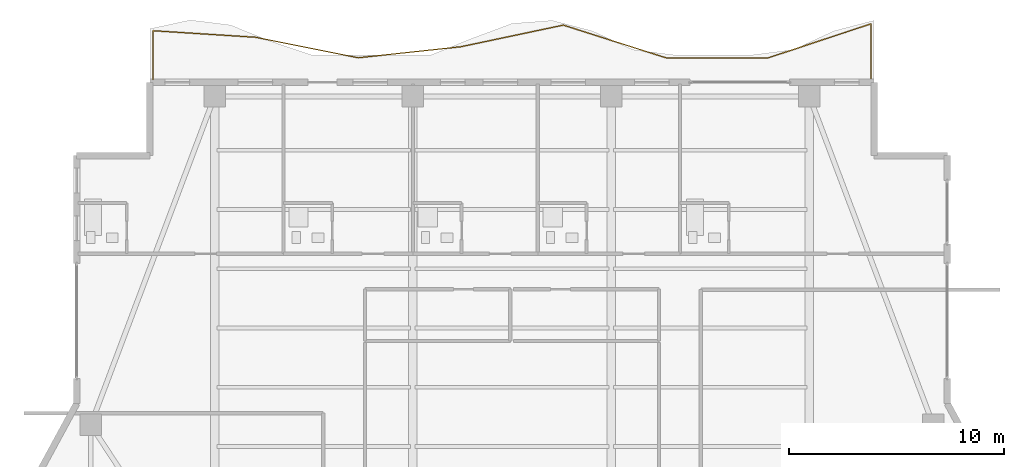
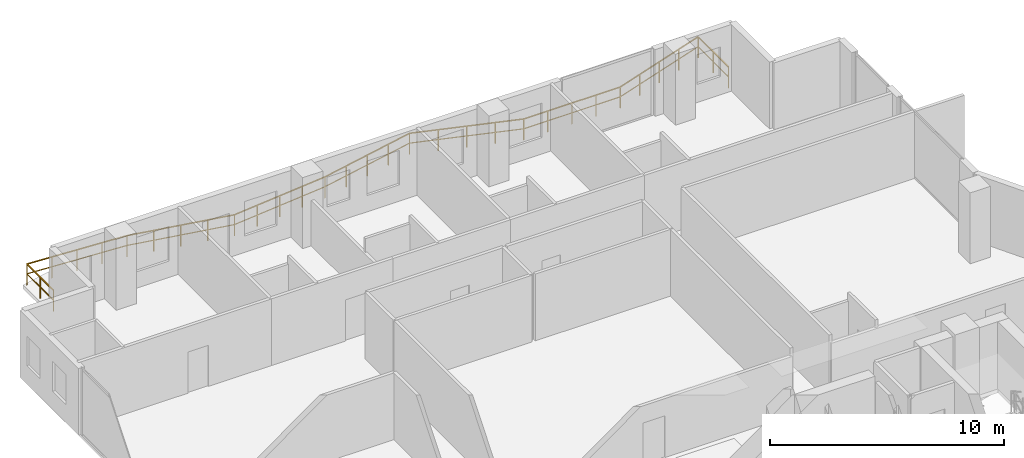
# One storey, part 24 of 25: 1 railing.
"""IFC4 building model written with IfcOpenShell, lengths in metres."""

from ifc_helpers import new_model, si_unit, direction, frame, origin, origin_2d, place, context, subcontext, project, spatial, rectangle, extrude, material, type_object, element, save


model = new_model("IFC4")

# Units and contexts
model_context = context("Model", 3, precision=1e-05, world=origin(), true_north=direction((0.0, 1.0)))
body_context = subcontext(model_context, "Body", "Model", "MODEL_VIEW")
ifc_project = project(units=[si_unit("LENGTHUNIT", "METRE"), si_unit("AREAUNIT", "SQUARE_METRE"), si_unit("VOLUMEUNIT", "CUBIC_METRE"), si_unit("PLANEANGLEUNIT", "RADIAN"), si_unit("MASSUNIT", "GRAM", prefix="KILO")], contexts=[model_context])

# Site, building, storey
site_placement = place(None, origin())
site = spatial("IfcSite", under=ifc_project, at=site_placement, CompositionType="ELEMENT")
building_placement = place(site_placement, origin())
building = spatial("IfcBuilding", under=site, at=building_placement, Name="Zuhayl Quay Hotel", CompositionType="ELEMENT")
storey_placement = place(building_placement, frame((0.0, 0.0, 243.35009765625)))
storey = spatial("IfcBuildingStorey", under=building, at=storey_placement, Name="L61", CompositionType="ELEMENT", Elevation=243.35009765625)

# Railing
ifc_material = material(Name="Anodised Aluminium and Laminated Glass", Category="aluminium")
railing_type = type_object("IfcRailingType", Name="RL_EXT_BAL_1100", PredefinedType="BALUSTRADE", material=ifc_material)
railing_placement = place(storey_placement, frame((-16.659912109375, 39.1201171875, 0.0)))
element("IfcRailing", 1, at=railing_placement, inside=storey, type_object=railing_type, Name="L61 Balcony and Terrace Guard GR_L61_BAL_N", PredefinedType="BALUSTRADE", context=body_context, shape_type="SweptSolid", body=[
    extrude(rectangle(XDim=0.048095703125, YDim=0.048095703125, at=origin_2d()), frame((0.0, 0.0, 1.09619140625), z_axis=(0.0, 1.0, 0.0), x_axis=(-1.0, 0.0, 0.0)), (0.0, 0.0, 1.0), 2.276123046875),
    extrude(rectangle(XDim=0.0361328125, YDim=0.0361328125, at=origin_2d()), frame((0.0, 0.0, 0.58251953125), z_axis=(0.0, 1.0, 0.0), x_axis=(-1.0, 0.0, 0.0)), (0.0, 0.0, 1.0), 2.276123046875),
    extrude(rectangle(XDim=0.048095703125, YDim=0.048095703125, at=origin_2d()), frame((0.0, 2.276123046875, 1.09619140625), z_axis=(0.997964164421, -0.063777163095, 0.0), x_axis=(0.063777163095, 0.997964164421, 0.0)), (0.0, 0.0, 1.0), 4.769775390625),
    extrude(rectangle(XDim=0.0361328125, YDim=0.0361328125, at=origin_2d()), frame((0.0, 2.276123046875, 0.58251953125), z_axis=(0.997964164421, -0.063777163095, 0.0), x_axis=(0.063777163095, 0.997964164421, 0.0)), (0.0, 0.0, 1.0), 4.769775390625),
    extrude(rectangle(XDim=0.048095703125, YDim=0.048095703125, at=origin_2d()), frame((4.760009765625, 1.971923828125, 1.09619140625), z_axis=(0.980574872151, -0.196145150607, 0.0), x_axis=(0.196145150607, 0.980574872151, 0.0)), (0.0, 0.0, 1.0), 4.854248046875),
    extrude(rectangle(XDim=0.0361328125, YDim=0.0361328125, at=origin_2d()), frame((4.760009765625, 1.971923828125, 0.58251953125), z_axis=(0.980574872151, -0.196145150607, 0.0), x_axis=(0.196145150607, 0.980574872151, 0.0)), (0.0, 0.0, 1.0), 4.854248046875),
    extrude(rectangle(XDim=0.048095703125, YDim=0.048095703125, at=origin_2d()), frame((9.52001953125, 1.019775390625, 1.09619140625), z_axis=(0.994298151685, 0.106635761152, 0.0), x_axis=(-0.106635761152, 0.994298151685, 0.0)), (0.0, 0.0, 1.0), 4.787353515625),
    extrude(rectangle(XDim=0.0361328125, YDim=0.0361328125, at=origin_2d()), frame((9.52001953125, 1.019775390625, 0.58251953125), z_axis=(0.994298151685, 0.106635761152, 0.0), x_axis=(-0.106635761152, 0.994298151685, 0.0)), (0.0, 0.0, 1.0), 4.787353515625),
    extrude(rectangle(XDim=0.048095703125, YDim=0.048095703125, at=origin_2d()), frame((14.280029296875, 1.5302734375, 1.09619140625), z_axis=(0.97840204159, 0.206711018122, 0.0), x_axis=(-0.206711018122, 0.97840204159, 0.0)), (0.0, 0.0, 1.0), 4.86474609375),
    extrude(rectangle(XDim=0.0361328125, YDim=0.0361328125, at=origin_2d()), frame((14.280029296875, 1.5302734375, 0.58251953125), z_axis=(0.97840204159, 0.206711018122, 0.0), x_axis=(-0.206711018122, 0.97840204159, 0.0)), (0.0, 0.0, 1.0), 4.86474609375),
    extrude(rectangle(XDim=0.048095703125, YDim=0.048095703125, at=origin_2d()), frame((19.039794921875, 2.535888671875, 1.09619140625), z_axis=(0.952835239362, -0.3034880667, 0.0), x_axis=(0.3034880667, 0.952835239362, 0.0)), (0.0, 0.0, 1.0), 4.99560546875),
    extrude(rectangle(XDim=0.0361328125, YDim=0.0361328125, at=origin_2d()), frame((19.039794921875, 2.535888671875, 0.58251953125), z_axis=(0.952835239362, -0.3034880667, 0.0), x_axis=(0.3034880667, 0.952835239362, 0.0)), (0.0, 0.0, 1.0), 4.99560546875),
    extrude(rectangle(XDim=0.048095703125, YDim=0.048095703125, at=origin_2d()), frame((23.7998046875, 1.019775390625, 1.09619140625), z_axis=(1.0, 0.0, 0.0), x_axis=(0.0, 1.0, 0.0)), (0.0, 0.0, 1.0), 4.760009765625),
    extrude(rectangle(XDim=0.0361328125, YDim=0.0361328125, at=origin_2d()), frame((23.7998046875, 1.019775390625, 0.58251953125), z_axis=(1.0, 0.0, 0.0), x_axis=(0.0, 1.0, 0.0)), (0.0, 0.0, 1.0), 4.760009765625),
    extrude(rectangle(XDim=0.048095703125, YDim=0.048095703125, at=origin_2d()), frame((28.559814453125, 1.019775390625, 1.09619140625), z_axis=(0.949280465893, 0.314430591821, 0.0), x_axis=(-0.314430591821, 0.949280465893, 0.0)), (0.0, 0.0, 1.0), 5.014404296875),
    extrude(rectangle(XDim=0.0361328125, YDim=0.0361328125, at=origin_2d()), frame((28.559814453125, 1.019775390625, 0.58251953125), z_axis=(0.949280465893, 0.314430591821, 0.0), x_axis=(-0.314430591821, 0.949280465893, 0.0)), (0.0, 0.0, 1.0), 5.014404296875),
    extrude(rectangle(XDim=0.048095703125, YDim=0.048095703125, at=origin_2d()), frame((33.31982421875, 2.596435546875, 1.09619140625), z_axis=(0.0, -1.0, 0.0), x_axis=(1.0, 0.0, 0.0)), (0.0, 0.0, 1.0), 2.596435546875),
    extrude(rectangle(XDim=0.0361328125, YDim=0.0361328125, at=origin_2d()), frame((33.31982421875, 2.596435546875, 0.58251953125), z_axis=(0.0, -1.0, 0.0), x_axis=(1.0, 0.0, 0.0)), (0.0, 0.0, 1.0), 2.596435546875),
    extrude(rectangle(XDim=0.0419921875, YDim=0.0419921875, at=origin_2d()), origin(), (0.0, 0.0, 1.0), 1.072021484375),
    extrude(rectangle(XDim=0.0419921875, YDim=0.0419921875, at=origin_2d()), frame((0.0, 1.13818359375, 0.0)), (0.0, 0.0, 1.0), 1.072021484375),
    extrude(rectangle(XDim=0.0419921875, YDim=0.0419921875, at=origin_2d()), frame((0.0, 2.276123046875, 0.0)), (0.0, 0.0, 1.0), 1.072021484375),
    extrude(rectangle(XDim=0.0419921875, YDim=0.0419921875, at=origin_2d()), frame((1.18994140625, 2.2001953125, 0.0)), (0.0, 0.0, 1.0), 1.072021484375),
    extrude(rectangle(XDim=0.0419921875, YDim=0.0419921875, at=origin_2d()), frame((2.3798828125, 2.1240234375, 0.0)), (0.0, 0.0, 1.0), 1.072021484375),
    extrude(rectangle(XDim=0.0419921875, YDim=0.0419921875, at=origin_2d()), frame((3.570068359375, 2.0478515625, 0.0)), (0.0, 0.0, 1.0), 1.072021484375),
    extrude(rectangle(XDim=0.0419921875, YDim=0.0419921875, at=origin_2d()), frame((4.760009765625, 1.971923828125, 0.0)), (0.0, 0.0, 1.0), 1.072021484375),
    extrude(rectangle(XDim=0.0419921875, YDim=0.0419921875, at=origin_2d()), frame((5.949951171875, 1.73388671875, 0.0)), (0.0, 0.0, 1.0), 1.072021484375),
    extrude(rectangle(XDim=0.0419921875, YDim=0.0419921875, at=origin_2d()), frame((7.14013671875, 1.495849609375, 0.0)), (0.0, 0.0, 1.0), 1.072021484375),
    extrude(rectangle(XDim=0.0419921875, YDim=0.0419921875, at=origin_2d()), frame((8.330078125, 1.2578125, 0.0)), (0.0, 0.0, 1.0), 1.072021484375),
    extrude(rectangle(XDim=0.0419921875, YDim=0.0419921875, at=origin_2d()), frame((9.52001953125, 1.019775390625, 0.0)), (0.0, 0.0, 1.0), 1.072021484375),
    extrude(rectangle(XDim=0.0419921875, YDim=0.0419921875, at=origin_2d()), frame((10.7099609375, 1.1474609375, 0.0)), (0.0, 0.0, 1.0), 1.072021484375),
    extrude(rectangle(XDim=0.0419921875, YDim=0.0419921875, at=origin_2d()), frame((11.89990234375, 1.27490234375, 0.0)), (0.0, 0.0, 1.0), 1.072021484375),
    extrude(rectangle(XDim=0.0419921875, YDim=0.0419921875, at=origin_2d()), frame((13.090087890625, 1.402587890625, 0.0)), (0.0, 0.0, 1.0), 1.072021484375),
    extrude(rectangle(XDim=0.0419921875, YDim=0.0419921875, at=origin_2d()), frame((14.280029296875, 1.5302734375, 0.0)), (0.0, 0.0, 1.0), 1.072021484375),
    extrude(rectangle(XDim=0.0419921875, YDim=0.0419921875, at=origin_2d()), frame((15.469970703125, 1.78173828125, 0.0)), (0.0, 0.0, 1.0), 1.072021484375),
    extrude(rectangle(XDim=0.0419921875, YDim=0.0419921875, at=origin_2d()), frame((16.659912109375, 2.033203125, 0.0)), (0.0, 0.0, 1.0), 1.072021484375),
    extrude(rectangle(XDim=0.0419921875, YDim=0.0419921875, at=origin_2d()), frame((17.849853515625, 2.284423828125, 0.0)), (0.0, 0.0, 1.0), 1.072021484375),
    extrude(rectangle(XDim=0.0419921875, YDim=0.0419921875, at=origin_2d()), frame((19.039794921875, 2.535888671875, 0.0)), (0.0, 0.0, 1.0), 1.072021484375),
    extrude(rectangle(XDim=0.0419921875, YDim=0.0419921875, at=origin_2d()), frame((20.229736328125, 2.15673828125, 0.0)), (0.0, 0.0, 1.0), 1.072021484375),
    extrude(rectangle(XDim=0.0419921875, YDim=0.0419921875, at=origin_2d()), frame((21.419921875, 1.77783203125, 0.0)), (0.0, 0.0, 1.0), 1.072021484375),
    extrude(rectangle(XDim=0.0419921875, YDim=0.0419921875, at=origin_2d()), frame((22.60986328125, 1.39892578125, 0.0)), (0.0, 0.0, 1.0), 1.072021484375),
    extrude(rectangle(XDim=0.0419921875, YDim=0.0419921875, at=origin_2d()), frame((23.7998046875, 1.019775390625, 0.0)), (0.0, 0.0, 1.0), 1.072021484375),
    extrude(rectangle(XDim=0.0419921875, YDim=0.0419921875, at=origin_2d()), frame((24.98974609375, 1.019775390625, 0.0)), (0.0, 0.0, 1.0), 1.072021484375),
    extrude(rectangle(XDim=0.0419921875, YDim=0.0419921875, at=origin_2d()), frame((26.1796875, 1.019775390625, 0.0)), (0.0, 0.0, 1.0), 1.072021484375),
    extrude(rectangle(XDim=0.0419921875, YDim=0.0419921875, at=origin_2d()), frame((27.369873046875, 1.019775390625, 0.0)), (0.0, 0.0, 1.0), 1.072021484375),
    extrude(rectangle(XDim=0.0419921875, YDim=0.0419921875, at=origin_2d()), frame((28.559814453125, 1.019775390625, 0.0)), (0.0, 0.0, 1.0), 1.072021484375),
    extrude(rectangle(XDim=0.0419921875, YDim=0.0419921875, at=origin_2d()), frame((29.749755859375, 1.4140625, 0.0)), (0.0, 0.0, 1.0), 1.072021484375),
    extrude(rectangle(XDim=0.0419921875, YDim=0.0419921875, at=origin_2d()), frame((30.93994140625, 1.80810546875, 0.0)), (0.0, 0.0, 1.0), 1.072021484375),
    extrude(rectangle(XDim=0.0419921875, YDim=0.0419921875, at=origin_2d()), frame((32.1298828125, 2.2021484375, 0.0)), (0.0, 0.0, 1.0), 1.072021484375),
    extrude(rectangle(XDim=0.0419921875, YDim=0.0419921875, at=origin_2d()), frame((33.31982421875, 2.596435546875, 0.0)), (0.0, 0.0, 1.0), 1.072021484375),
    extrude(rectangle(XDim=0.0419921875, YDim=0.0419921875, at=origin_2d()), frame((33.31982421875, 1.29833984375, 0.0)), (0.0, 0.0, 1.0), 1.072021484375),
    extrude(rectangle(XDim=0.0419921875, YDim=0.0419921875, at=origin_2d()), frame((33.31982421875, 0.0, 0.0)), (0.0, 0.0, 1.0), 1.072021484375),
])

save(model, "model.ifc")
